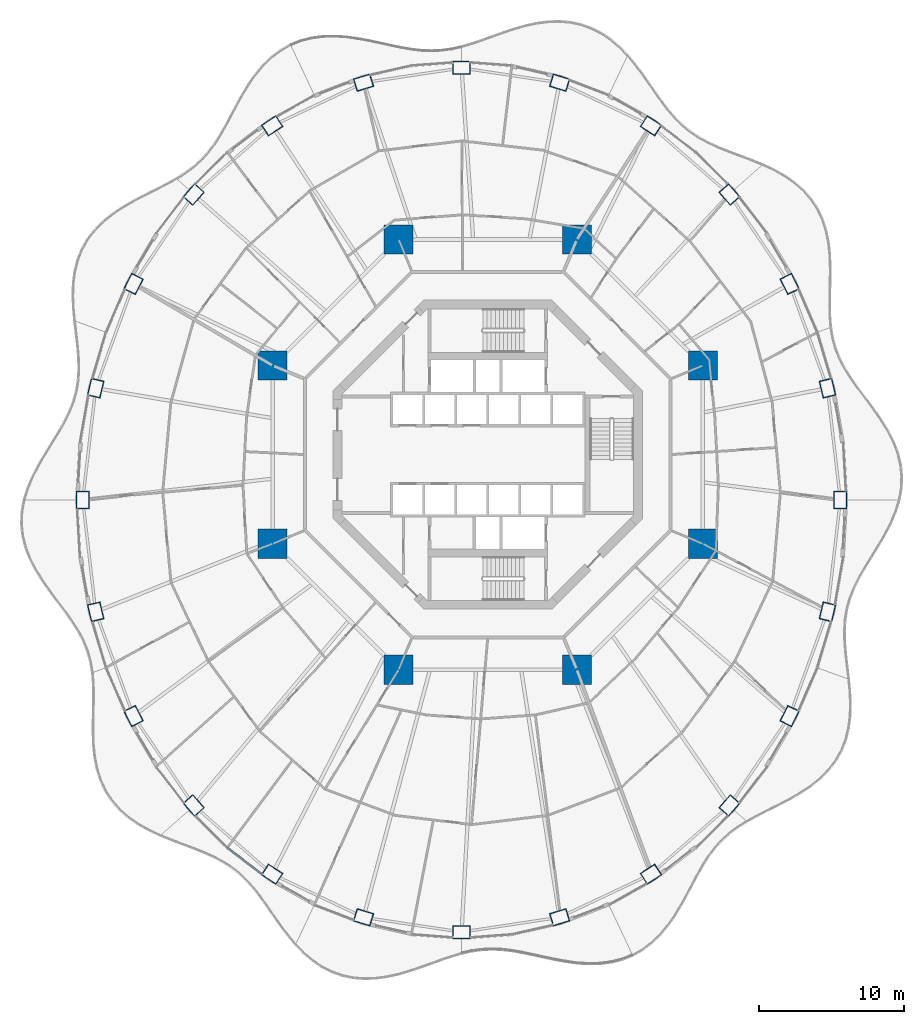
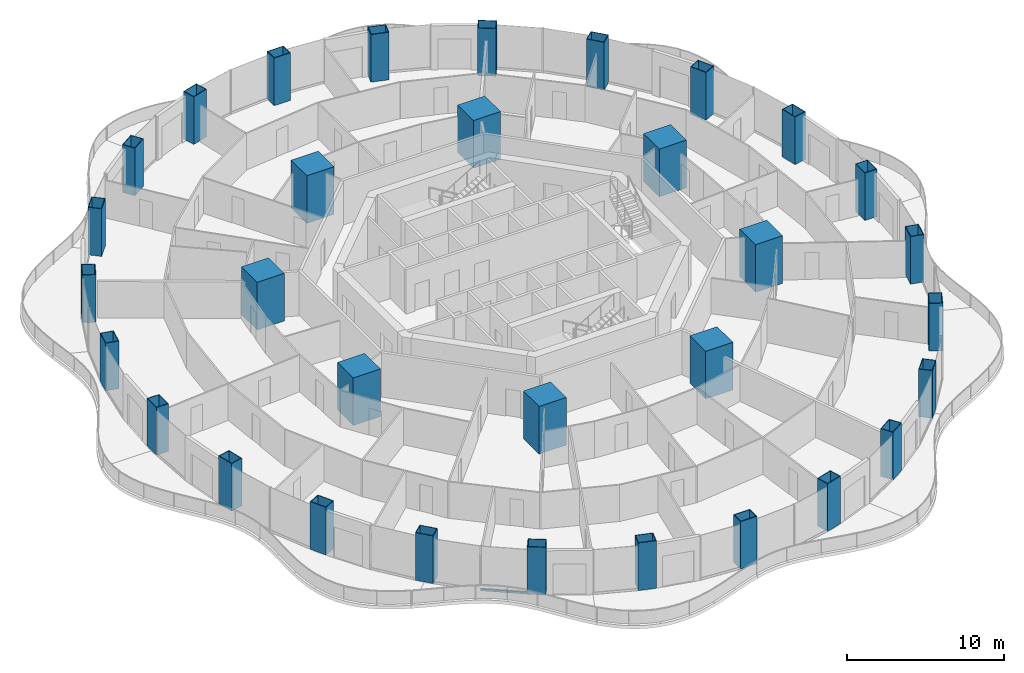
# One storey, part 1 of 20: 32 columns, 1 member, 1 element without a shape of its own.
"""IFC4 building model written with IfcOpenShell, lengths in metres."""

from ifc_helpers import new_model, si_unit, direction, frame, origin, origin_2d, place, context, subcontext, project, spatial, rectangle, hollow_rectangle, extrude, material, layer, layer_set, material_profile, profile_set, type_object, element, aggregate, save


model = new_model("IFC4")

# Units and contexts
model_context = context("Model", 3, precision=1e-05, world=origin(), true_north=direction((0.0, 1.0)))
body_context = subcontext(model_context, "Body", "Model", "MODEL_VIEW")
ifc_project = project(units=[si_unit("LENGTHUNIT", "METRE"), si_unit("AREAUNIT", "SQUARE_METRE"), si_unit("VOLUMEUNIT", "CUBIC_METRE"), si_unit("PLANEANGLEUNIT", "RADIAN"), si_unit("MASSUNIT", "GRAM", prefix="KILO")], contexts=[model_context])

# Site, building, storey
site_placement = place(None, origin())
site = spatial("IfcSite", under=ifc_project, at=site_placement, CompositionType="ELEMENT")
building_placement = place(site_placement, origin())
building = spatial("IfcBuilding", under=site, at=building_placement, Name="Nagisa Residences", CompositionType="ELEMENT")
storey_placement = place(building_placement, frame((0.0, 0.0, 123.300048828125)))
storey = spatial("IfcBuildingStorey", under=building, at=storey_placement, Name="L30", CompositionType="ELEMENT", Elevation=123.300048828125)

# Columns
ifc_material_1 = material(Name="Concrete C80", Category="concrete")
ifc_material_profile_1 = material_profile(ifc_material_1, rectangle(XDim=2.0, YDim=2.0, at=origin_2d()), Name="C80 2000x2000")
ifc_profile_set_1 = profile_set([ifc_material_profile_1], Name="Concrete C80")
column_type_1 = type_object("IfcColumnType", Name="Inner megacolumn C80 2000x2000", PredefinedType="COLUMN", material=ifc_profile_set_1)
for number, where, z_axis, x_axis, name in (
    (1, (14.781982421875, 6.123046875, 0.0), (0.0, 0.0, 1.0), (1.0, 0.0, 0.0), "col:L30:i1"),
    (2, (6.123046875, 14.781982421875, 0.0), (0.0, 0.0, 1.0), (1.0, 0.0, 0.0), "col:L30:i2"),
    (3, (-6.123046875, 14.781982421875, 0.0), (0.0, 0.0, 1.0), (1.0, 0.0, 0.0), "col:L30:i3"),
    (4, (-14.781982421875, 6.123046875, 0.0), (0.0, 0.0, 1.0), (1.0, 0.0, 0.0), "col:L30:i4"),
    (5, (-14.781982421875, -6.123046875, 0.0), (0.0, 0.0, 1.0), (1.0, 0.0, 0.0), "col:L30:i5"),
    (6, (-6.123046875, -14.781982421875, 0.0), (0.0, 0.0, 1.0), (1.0, 0.0, 0.0), "col:L30:i6"),
    (7, (6.123046875, -14.781982421875, 0.0), (0.0, 0.0, 1.0), (1.0, 0.0, 0.0), "col:L30:i7"),
    (8, (14.781982421875, -6.123046875, 0.0), (0.0, 0.0, 1.0), (1.0, 0.0, 0.0), "col:L30:i8"),
):
    element("IfcColumn", number, at=place(storey_placement, frame(where, z_axis=z_axis, x_axis=x_axis)), inside=storey, type_object=column_type_1, Name=name, PredefinedType="COLUMN", context=body_context, shape_type="SweptSolid", body=[
        extrude(rectangle(XDim=2.0, YDim=2.0, at=origin_2d()), origin(), (0.0, 0.0, 1.0), 3.699951171875),
    ])
ifc_material_2 = material(Name="Steel ASTM A572 Gr 50", Category="steel")
ifc_material_profile_2 = material_profile(ifc_material_2, hollow_rectangle(XDim=1.199951171875, YDim=0.89990234375, WallThickness=0.0400390625, at=origin_2d()), Name="BX 1200x900x40")
ifc_profile_set_2 = profile_set([ifc_material_profile_2], Name="Steel ASTM A572 Gr 50")
column_type_2 = type_object("IfcColumnType", Name="Perimeter column BX 1200x900x40", PredefinedType="COLUMN", material=ifc_profile_set_2)
for number, where, z_axis, x_axis, name in (
    (9, (24.235107421875, -3.11767578125, 0.0), (0.0, 0.0, 1.0), (0.0, 1.0, 0.0), "col:L30:p00"),
    (10, (23.347900390625, 4.56787109375, 0.0), (0.0, 0.0, 1.0), (-0.229202013103, 0.973378876486, 0.0), "col:L30:p01"),
    (11, (20.7470703125, 11.729736328125, 0.0), (0.0, 0.0, 1.0), (-0.452462697578, 0.891783329795, 0.0), "col:L30:p02"),
    (12, (16.609619140625, 17.8798828125, 0.0), (0.0, 0.0, 1.0), (-0.660114607735, 0.751164898445, 0.0), "col:L30:p03"),
    (13, (11.217529296875, 22.598876953125, 0.0), (0.0, 0.0, 1.0), (-0.835766105673, 0.54908561865, 0.0), "col:L30:p04"),
    (14, (4.938232421875, 25.5654296875, 0.0), (0.0, 0.0, 1.0), (-0.956524583408, 0.291651712384, 0.0), "col:L30:p05"),
    (15, (-1.800048828125, 26.577392578125, 0.0), (0.0, 0.0, 1.0), (-1.0, 0.0, 0.0), "col:L30:p06"),
    (16, (-8.538330078125, 25.5654296875, 0.0), (0.0, 0.0, 1.0), (-0.956524583408, -0.291651712384, 0.0), "col:L30:p07"),
    (17, (-14.8173828125, 22.598876953125, 0.0), (0.0, 0.0, 1.0), (-0.835766105673, -0.54908561865, 0.0), "col:L30:p08"),
    (18, (-20.20947265625, 17.8798828125, 0.0), (0.0, 0.0, 1.0), (-0.660114607735, -0.751164898445, 0.0), "col:L30:p09"),
    (19, (-24.346923828125, 11.729736328125, 0.0), (0.0, 0.0, 1.0), (-0.452462697578, -0.891783329795, 0.0), "col:L30:p10"),
    (20, (-26.947998046875, 4.56787109375, 0.0), (0.0, 0.0, 1.0), (-0.229202013103, -0.973378876486, 0.0), "col:L30:p11"),
    (21, (-27.8349609375, -3.11767578125, 0.0), (0.0, 0.0, 1.0), (0.0, -1.0, 0.0), "col:L30:p12"),
    (22, (-26.947998046875, -10.80322265625, 0.0), (0.0, 0.0, 1.0), (0.229202013103, -0.973378876486, 0.0), "col:L30:p13"),
    (23, (-24.346923828125, -17.965087890625, 0.0), (0.0, 0.0, 1.0), (0.452462697578, -0.891783329795, 0.0), "col:L30:p14"),
    (24, (-20.20947265625, -24.115234375, 0.0), (0.0, 0.0, 1.0), (0.660114607735, -0.751164898445, 0.0), "col:L30:p15"),
    (25, (-14.8173828125, -28.834228515625, 0.0), (0.0, 0.0, 1.0), (0.835766105673, -0.54908561865, 0.0), "col:L30:p16"),
    (26, (-8.538330078125, -31.80078125, 0.0), (0.0, 0.0, 1.0), (0.956524583408, -0.291651712384, 0.0), "col:L30:p17"),
    (27, (-1.800048828125, -32.812744140625, 0.0), (0.0, 0.0, 1.0), (1.0, 0.0, 0.0), "col:L30:p18"),
    (28, (4.938232421875, -31.80078125, 0.0), (0.0, 0.0, 1.0), (0.956524583408, 0.291651712384, 0.0), "col:L30:p19"),
    (29, (11.217529296875, -28.834228515625, 0.0), (0.0, 0.0, 1.0), (0.835766105673, 0.54908561865, 0.0), "col:L30:p20"),
    (30, (16.609619140625, -24.115234375, 0.0), (0.0, 0.0, 1.0), (0.660114607735, 0.751164898445, 0.0), "col:L30:p21"),
    (31, (20.7470703125, -17.965087890625, 0.0), (0.0, 0.0, 1.0), (0.452462697578, 0.891783329795, 0.0), "col:L30:p22"),
    (32, (23.347900390625, -10.80322265625, 0.0), (0.0, 0.0, 1.0), (0.229202013103, 0.973378876486, 0.0), "col:L30:p23"),
):
    element("IfcColumn", number, at=place(storey_placement, frame(where, z_axis=z_axis, x_axis=x_axis)), inside=storey, type_object=column_type_2, Name=name, PredefinedType="COLUMN", context=body_context, shape_type="SweptSolid", body=[
        extrude(hollow_rectangle(XDim=1.199951171875, YDim=0.89990234375, WallThickness=0.0400390625, at=origin_2d()), origin(), (0.0, 0.0, 1.0), 3.699951171875),
    ])

# Curtain wall, member
ifc_material_3 = material(Name="Concrete-coloured aluminium curtain wall system", Category="concrete")
ifc_layer = layer(ifc_material_3, 0.159912109375)
ifc_layer_set = layer_set([ifc_layer], Name="CW1 CURTAIN WALL")
curtain_wall_type = type_object("IfcCurtainWallType", Name="CW1 CURTAIN WALL", PredefinedType="NOTDEFINED", material=ifc_layer_set)
curtain_wall_placement = place(storey_placement, origin())
curtain_wall = element("IfcCurtainWall", 33, at=curtain_wall_placement, inside=storey, type_object=curtain_wall_type, Name="cw:CW1:L30:31", PredefinedType="NOTDEFINED")
ifc_material_4 = material(Name="Concrete-coloured aluminium", Category="concrete")
ifc_material_profile_3 = material_profile(ifc_material_4, rectangle(XDim=0.1201171875, YDim=0.14990234375, at=origin_2d()), Name="CW1 TRANSOM 120x150")
ifc_profile_set_3 = profile_set([ifc_material_profile_3], Name="Concrete-coloured aluminium")
member_type = type_object("IfcMemberType", Name="CW1 TRANSOM 120x150", PredefinedType="USERDEFINED", material=ifc_profile_set_3)
member_placement = place(storey_placement, frame((-17.905029296875, -27.00927734375, 0.074951171875), z_axis=(0.796022231079, -0.605267385233, 0.0), x_axis=(0.605267385233, 0.796022231079, 0.0)))
member = element("IfcMember", 34, at=member_placement, type_object=member_type, Name="CW1 transom", ObjectType="TRANSOM", PredefinedType="USERDEFINED", context=body_context, shape_type="SweptSolid", body=[
    extrude(rectangle(XDim=0.1201171875, YDim=0.14990234375, at=origin_2d()), origin(), (0.0, 0.0, 1.0), 3.025634765625),
])
aggregate(curtain_wall, [member])

save(model, "model.ifc")
